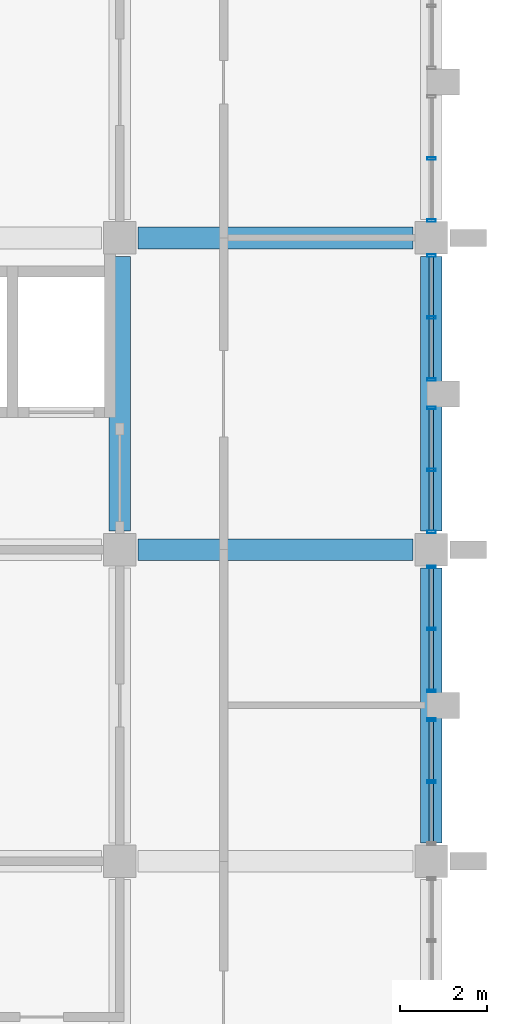
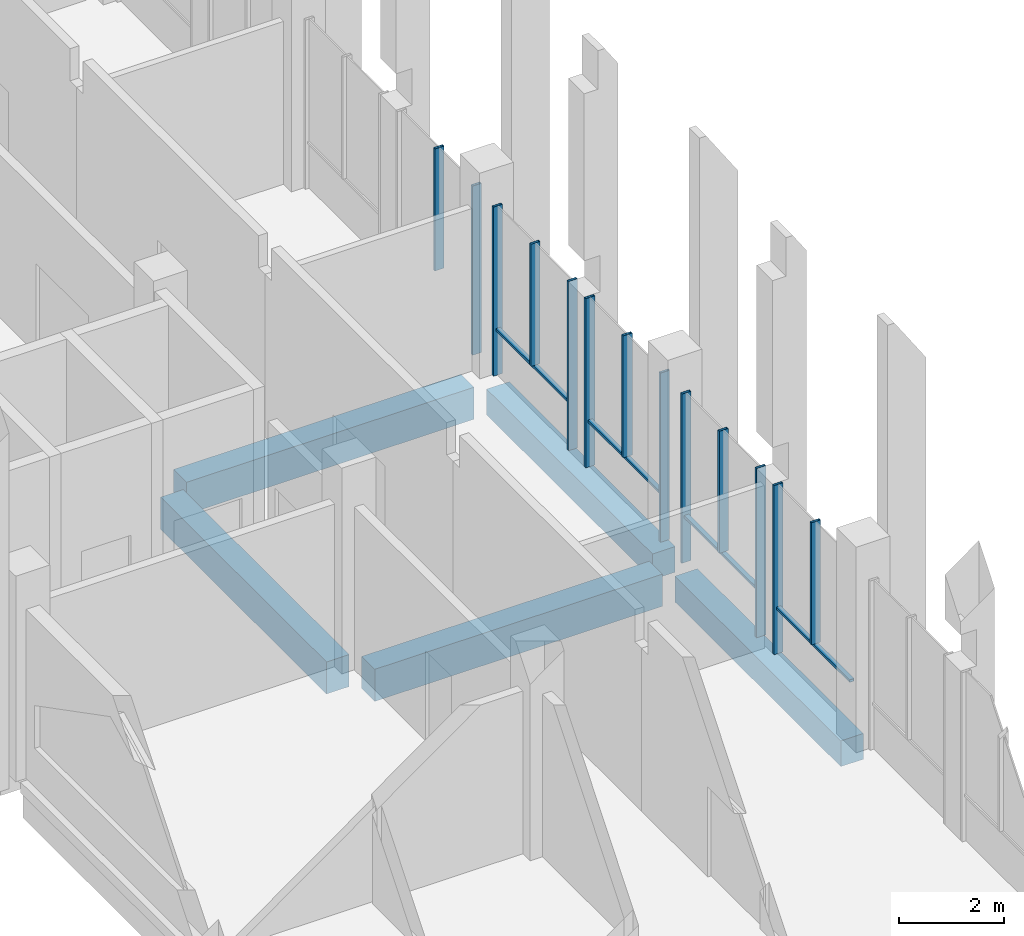
# One storey, part 18 of 40: 17 members, 5 beams, 5 elements without a shape of their own.
"""IFC4 building model written with IfcOpenShell, lengths in metres."""

from ifc_helpers import new_model, si_unit, direction, frame, origin, origin_2d, place, context, subcontext, project, spatial, rectangle, hollow_rectangle, extrude, material, material_profile, profile_set, type_object, element, aggregate, save


model = new_model("IFC4")

# Units and contexts
model_context = context("Model", 3, precision=1e-05, world=origin(), true_north=direction((0.0, 1.0)))
body_context = subcontext(model_context, "Body", "Model", "MODEL_VIEW")
ifc_project = project(units=[si_unit("LENGTHUNIT", "METRE"), si_unit("AREAUNIT", "SQUARE_METRE"), si_unit("VOLUMEUNIT", "CUBIC_METRE"), si_unit("PLANEANGLEUNIT", "RADIAN"), si_unit("MASSUNIT", "GRAM", prefix="KILO")], contexts=[model_context])

# Site, building, storey
site_placement = place(None, origin())
site = spatial("IfcSite", under=ifc_project, at=site_placement, CompositionType="ELEMENT")
building_placement = place(site_placement, origin())
building = spatial("IfcBuilding", under=site, at=building_placement, Name="Silangan Lancet Faculty of Sciences", CompositionType="ELEMENT")
storey_placement = place(building_placement, frame((0.0, 0.0, 21.60009765625)))
storey = spatial("IfcBuildingStorey", under=building, at=storey_placement, Name="L04", CompositionType="ELEMENT", Elevation=21.60009765625)

# Beams
ifc_material_1 = material(Name="Concrete C40/50", Category="concrete")
ifc_material_profile_1 = material_profile(ifc_material_1, rectangle(XDim=0.5, YDim=0.60009765625, at=origin_2d()), Name="RC 500x600")
ifc_profile_set_1 = profile_set([ifc_material_profile_1], Name="Concrete C40/50")
beam_type_1 = type_object("IfcBeamType", Name="BEAM RC 500x600", PredefinedType="BEAM", material=ifc_profile_set_1)
for number, where, z_axis, x_axis, name in (
    (1, (86.39990234375, 14.824951171875, -0.550048828125), (0.0, 1.0, 0.0), (-1.0, 0.0, 0.0), "BM-L04-13C-13D"),
    (2, (86.39990234375, 22.02490234375, -0.550048828125), (0.0, 1.0, 0.0), (-1.0, 0.0, 0.0), "BM-L04-13D-13E"),
):
    element("IfcBeam", number, at=place(storey_placement, frame(where, z_axis=z_axis, x_axis=x_axis)), inside=storey, type_object=beam_type_1, Name=name, PredefinedType="BEAM", context=body_context, shape_type="SweptSolid", body=[
        extrude(rectangle(XDim=0.5, YDim=0.60009765625, at=origin_2d()), origin(), (0.0, 0.0, 1.0), 6.35009765625),
    ])
ifc_material_2 = material(Name="Concrete C40/50", Category="concrete")
ifc_material_profile_2 = material_profile(ifc_material_2, rectangle(XDim=0.5, YDim=0.75, at=origin_2d()), Name="RC 500x750")
ifc_profile_set_2 = profile_set([ifc_material_profile_2], Name="Concrete C40/50")
beam_type_2 = type_object("IfcBeamType", Name="BEAM RC 500x750", PredefinedType="BEAM", material=ifc_profile_set_2)
for number, where, z_axis, x_axis, name in (
    (3, (79.625, 21.60009765625, -0.625), (1.0, 0.0, 0.0), (0.0, 1.0, 0.0), "BM-L04-12D-13D"),
    (4, (79.625, 28.800048828125, -0.625), (1.0, 0.0, 0.0), (0.0, 1.0, 0.0), "BM-L04-12E-13E"),
    (5, (79.199951171875, 22.02490234375, -0.625), (0.0, 1.0, 0.0), (-1.0, 0.0, 0.0), "BM-L04-12D-12E"),
):
    element("IfcBeam", number, at=place(storey_placement, frame(where, z_axis=z_axis, x_axis=x_axis)), inside=storey, type_object=beam_type_2, Name=name, PredefinedType="BEAM", context=body_context, shape_type="SweptSolid", body=[
        extrude(rectangle(XDim=0.5, YDim=0.75, at=origin_2d()), origin(), (0.0, 0.0, 1.0), 6.35009765625),
    ])

# Curtain wall, members
ifc_material_3 = material(Name="Aluminium framed curtain wall with insulated glass", Category="aluminium")
curtain_wall_type = type_object("IfcCurtainWallType", Name="CW1 Commons and east block glazing", PredefinedType="NOTDEFINED", material=ifc_material_3)
curtain_wall_1_placement = place(storey_placement, origin())
curtain_wall_1 = element("IfcCurtainWall", 6, at=curtain_wall_1_placement, inside=storey, type_object=curtain_wall_type, Name="CW1 East commons L04 bay 3", PredefinedType="NOTDEFINED")
ifc_material_4 = material(Name="Aluminium 6063-T6 extrusion", Category="aluminium")
ifc_material_profile_3 = material_profile(ifc_material_4, hollow_rectangle(XDim=0.06005859375, YDim=0.199951171875, WallThickness=0.00390625, at=origin_2d()), Name="AL BOX 60x200x4")
ifc_profile_set_3 = profile_set([ifc_material_profile_3], Name="Aluminium 6063-T6 extrusion")
member_type_1 = type_object("IfcMemberType", Name="CM1 Mullion 60x200", PredefinedType="MULLION", material=ifc_profile_set_3)
member_1_placement = place(storey_placement, frame((86.39990234375, 17.669921875, 0.0), z_axis=(0.0, 0.0, 1.0), x_axis=(0.0, 1.0, 0.0)))
member_1 = element("IfcMember", 7, at=member_1_placement, type_object=member_type_1, Name="CW1 East commons L04 bay 3 mullion 2", PredefinedType="MULLION", context=body_context, shape_type="SweptSolid", body=[
    extrude(hollow_rectangle(XDim=0.06005859375, YDim=0.199951171875, WallThickness=0.00390625, at=origin_2d()), origin(), (0.0, 0.0, 1.0), 3.949951171875),
])
member_2_placement = place(storey_placement, frame((86.39990234375, 16.237548828125, 1.099853515625), z_axis=(0.0, 0.0, 1.0), x_axis=(0.0, 1.0, 0.0)))
member_2 = element("IfcMember", 8, at=member_2_placement, type_object=member_type_1, Name="CW1 East commons L04 bay 3 mullion 3", PredefinedType="MULLION", context=body_context, shape_type="SweptSolid", body=[
    extrude(hollow_rectangle(XDim=0.06005859375, YDim=0.199951171875, WallThickness=0.00390625, at=origin_2d()), origin(), (0.0, 0.0, 1.0), 2.85009765625),
])

curtain_wall_2_placement = place(storey_placement, origin())
curtain_wall_2 = element("IfcCurtainWall", 9, at=curtain_wall_2_placement, inside=storey, type_object=curtain_wall_type, Name="CW1 East commons L04 bay 4", PredefinedType="NOTDEFINED")
member_3_placement = place(storey_placement, frame((86.39990234375, 18.330078125, 0.0), z_axis=(0.0, 0.0, 1.0), x_axis=(0.0, 1.0, 0.0)))
member_3 = element("IfcMember", 10, at=member_3_placement, type_object=member_type_1, Name="CW1 East commons L04 bay 4 mullion 1", PredefinedType="MULLION", context=body_context, shape_type="SweptSolid", body=[
    extrude(hollow_rectangle(XDim=0.06005859375, YDim=0.199951171875, WallThickness=0.00390625, at=origin_2d()), origin(), (0.0, 0.0, 1.0), 3.949951171875),
])
member_4_placement = place(storey_placement, frame((86.39990234375, 21.195068359375, 0.0), z_axis=(0.0, 0.0, 1.0), x_axis=(0.0, 1.0, 0.0)))
member_4 = element("IfcMember", 11, at=member_4_placement, type_object=member_type_1, Name="CW1 East commons L04 bay 4 mullion 2", PredefinedType="MULLION", context=body_context, shape_type="SweptSolid", body=[
    extrude(hollow_rectangle(XDim=0.06005859375, YDim=0.199951171875, WallThickness=0.00390625, at=origin_2d()), origin(), (0.0, 0.0, 1.0), 3.949951171875),
])
member_5_placement = place(storey_placement, frame((86.39990234375, 19.762451171875, 1.099853515625), z_axis=(0.0, 0.0, 1.0), x_axis=(0.0, 1.0, 0.0)))
member_5 = element("IfcMember", 12, at=member_5_placement, type_object=member_type_1, Name="CW1 East commons L04 bay 4 mullion 3", PredefinedType="MULLION", context=body_context, shape_type="SweptSolid", body=[
    extrude(hollow_rectangle(XDim=0.06005859375, YDim=0.199951171875, WallThickness=0.00390625, at=origin_2d()), origin(), (0.0, 0.0, 1.0), 2.85009765625),
])

curtain_wall_3_placement = place(storey_placement, origin())
curtain_wall_3 = element("IfcCurtainWall", 13, at=curtain_wall_3_placement, inside=storey, type_object=curtain_wall_type, Name="CW1 East commons L04 bay 5", PredefinedType="NOTDEFINED")
member_6_placement = place(storey_placement, frame((86.39990234375, 22.0048828125, 0.0), z_axis=(0.0, 0.0, 1.0), x_axis=(0.0, 1.0, 0.0)))
member_6 = element("IfcMember", 14, at=member_6_placement, type_object=member_type_1, Name="CW1 East commons L04 bay 5 mullion 1", PredefinedType="MULLION", context=body_context, shape_type="SweptSolid", body=[
    extrude(hollow_rectangle(XDim=0.06005859375, YDim=0.199951171875, WallThickness=0.00390625, at=origin_2d()), origin(), (0.0, 0.0, 1.0), 3.949951171875),
])
member_7_placement = place(storey_placement, frame((86.39990234375, 24.8701171875, 0.0), z_axis=(0.0, 0.0, 1.0), x_axis=(0.0, 1.0, 0.0)))
member_7 = element("IfcMember", 15, at=member_7_placement, type_object=member_type_1, Name="CW1 East commons L04 bay 5 mullion 2", PredefinedType="MULLION", context=body_context, shape_type="SweptSolid", body=[
    extrude(hollow_rectangle(XDim=0.06005859375, YDim=0.199951171875, WallThickness=0.00390625, at=origin_2d()), origin(), (0.0, 0.0, 1.0), 3.949951171875),
])
member_8_placement = place(storey_placement, frame((86.39990234375, 23.4375, 1.099853515625), z_axis=(0.0, 0.0, 1.0), x_axis=(0.0, 1.0, 0.0)))
member_8 = element("IfcMember", 16, at=member_8_placement, type_object=member_type_1, Name="CW1 East commons L04 bay 5 mullion 3", PredefinedType="MULLION", context=body_context, shape_type="SweptSolid", body=[
    extrude(hollow_rectangle(XDim=0.06005859375, YDim=0.199951171875, WallThickness=0.00390625, at=origin_2d()), origin(), (0.0, 0.0, 1.0), 2.85009765625),
])

curtain_wall_4_placement = place(storey_placement, origin())
curtain_wall_4 = element("IfcCurtainWall", 17, at=curtain_wall_4_placement, inside=storey, type_object=curtain_wall_type, Name="CW1 East commons L04 bay 6", PredefinedType="NOTDEFINED")
member_9_placement = place(storey_placement, frame((86.39990234375, 25.530029296875, 0.0), z_axis=(0.0, 0.0, 1.0), x_axis=(0.0, 1.0, 0.0)))
member_9 = element("IfcMember", 18, at=member_9_placement, type_object=member_type_1, Name="CW1 East commons L04 bay 6 mullion 1", PredefinedType="MULLION", context=body_context, shape_type="SweptSolid", body=[
    extrude(hollow_rectangle(XDim=0.06005859375, YDim=0.199951171875, WallThickness=0.00390625, at=origin_2d()), origin(), (0.0, 0.0, 1.0), 3.949951171875),
])
member_10_placement = place(storey_placement, frame((86.39990234375, 28.39501953125, 0.0), z_axis=(0.0, 0.0, 1.0), x_axis=(0.0, 1.0, 0.0)))
member_10 = element("IfcMember", 19, at=member_10_placement, type_object=member_type_1, Name="CW1 East commons L04 bay 6 mullion 2", PredefinedType="MULLION", context=body_context, shape_type="SweptSolid", body=[
    extrude(hollow_rectangle(XDim=0.06005859375, YDim=0.199951171875, WallThickness=0.00390625, at=origin_2d()), origin(), (0.0, 0.0, 1.0), 3.949951171875),
])
member_11_placement = place(storey_placement, frame((86.39990234375, 26.96240234375, 1.099853515625), z_axis=(0.0, 0.0, 1.0), x_axis=(0.0, 1.0, 0.0)))
member_11 = element("IfcMember", 20, at=member_11_placement, type_object=member_type_1, Name="CW1 East commons L04 bay 6 mullion 3", PredefinedType="MULLION", context=body_context, shape_type="SweptSolid", body=[
    extrude(hollow_rectangle(XDim=0.06005859375, YDim=0.199951171875, WallThickness=0.00390625, at=origin_2d()), origin(), (0.0, 0.0, 1.0), 2.85009765625),
])

curtain_wall_5_placement = place(storey_placement, origin())
curtain_wall_5 = element("IfcCurtainWall", 21, at=curtain_wall_5_placement, inside=storey, type_object=curtain_wall_type, Name="CW1 East commons L04 bay 7", PredefinedType="NOTDEFINED")
member_12_placement = place(storey_placement, frame((86.39990234375, 29.205078125, 0.0), z_axis=(0.0, 0.0, 1.0), x_axis=(0.0, 1.0, 0.0)))
member_12 = element("IfcMember", 22, at=member_12_placement, type_object=member_type_1, Name="CW1 East commons L04 bay 7 mullion 1", PredefinedType="MULLION", context=body_context, shape_type="SweptSolid", body=[
    extrude(hollow_rectangle(XDim=0.06005859375, YDim=0.199951171875, WallThickness=0.00390625, at=origin_2d()), origin(), (0.0, 0.0, 1.0), 3.949951171875),
])
member_13_placement = place(storey_placement, frame((86.39990234375, 30.637451171875, 1.099853515625), z_axis=(0.0, 0.0, 1.0), x_axis=(0.0, 1.0, 0.0)))
member_13 = element("IfcMember", 23, at=member_13_placement, type_object=member_type_1, Name="CW1 East commons L04 bay 7 mullion 3", PredefinedType="MULLION", context=body_context, shape_type="SweptSolid", body=[
    extrude(hollow_rectangle(XDim=0.06005859375, YDim=0.199951171875, WallThickness=0.00390625, at=origin_2d()), origin(), (0.0, 0.0, 1.0), 2.85009765625),
])
aggregate(curtain_wall_5, [member_12, member_13])

# Member
ifc_material_5 = material(Name="Aluminium 6063-T6 extrusion", Category="aluminium")
ifc_material_profile_4 = material_profile(ifc_material_5, hollow_rectangle(XDim=0.10009765625, YDim=0.06005859375, WallThickness=0.0029296875, at=origin_2d()), Name="AL BOX 100x60x3")
ifc_profile_set_4 = profile_set([ifc_material_profile_4], Name="Aluminium 6063-T6 extrusion")
member_type_2 = type_object("IfcMemberType", Name="CT1 Transom 100x60", PredefinedType="USERDEFINED", material=ifc_profile_set_4)
member_14_placement = place(storey_placement, frame((86.39990234375, 14.8349609375, 1.06982421875), z_axis=(0.0, 1.0, 0.0), x_axis=(-1.0, 0.0, 0.0)))
member_14 = element("IfcMember", 24, at=member_14_placement, type_object=member_type_2, Name="CW1 East commons L04 bay 3 transom 1", ObjectType="TRANSOM", PredefinedType="USERDEFINED", context=body_context, shape_type="SweptSolid", body=[
    extrude(hollow_rectangle(XDim=0.10009765625, YDim=0.06005859375, WallThickness=0.0029296875, at=origin_2d()), origin(), (0.0, 0.0, 1.0), 2.804931640625),
])

aggregate(curtain_wall_1, [member_1, member_2, member_14])

member_15_placement = place(storey_placement, frame((86.39990234375, 18.360107421875, 1.06982421875), z_axis=(0.0, 1.0, 0.0), x_axis=(-1.0, 0.0, 0.0)))
member_15 = element("IfcMember", 25, at=member_15_placement, type_object=member_type_2, Name="CW1 East commons L04 bay 4 transom 1", ObjectType="TRANSOM", PredefinedType="USERDEFINED", context=body_context, shape_type="SweptSolid", body=[
    extrude(hollow_rectangle(XDim=0.10009765625, YDim=0.06005859375, WallThickness=0.0029296875, at=origin_2d()), origin(), (0.0, 0.0, 1.0), 2.804931640625),
])

aggregate(curtain_wall_2, [member_3, member_4, member_5, member_15])

member_16_placement = place(storey_placement, frame((86.39990234375, 22.034912109375, 1.06982421875), z_axis=(0.0, 1.0, 0.0), x_axis=(-1.0, 0.0, 0.0)))
member_16 = element("IfcMember", 26, at=member_16_placement, type_object=member_type_2, Name="CW1 East commons L04 bay 5 transom 1", ObjectType="TRANSOM", PredefinedType="USERDEFINED", context=body_context, shape_type="SweptSolid", body=[
    extrude(hollow_rectangle(XDim=0.10009765625, YDim=0.06005859375, WallThickness=0.0029296875, at=origin_2d()), origin(), (0.0, 0.0, 1.0), 2.80517578125),
])

aggregate(curtain_wall_3, [member_6, member_7, member_8, member_16])

member_17_placement = place(storey_placement, frame((86.39990234375, 25.56005859375, 1.06982421875), z_axis=(0.0, 1.0, 0.0), x_axis=(-1.0, 0.0, 0.0)))
member_17 = element("IfcMember", 27, at=member_17_placement, type_object=member_type_2, Name="CW1 East commons L04 bay 6 transom 1", ObjectType="TRANSOM", PredefinedType="USERDEFINED", context=body_context, shape_type="SweptSolid", body=[
    extrude(hollow_rectangle(XDim=0.10009765625, YDim=0.06005859375, WallThickness=0.0029296875, at=origin_2d()), origin(), (0.0, 0.0, 1.0), 2.804931640625),
])

aggregate(curtain_wall_4, [member_9, member_10, member_11, member_17])

save(model, "model.ifc")
